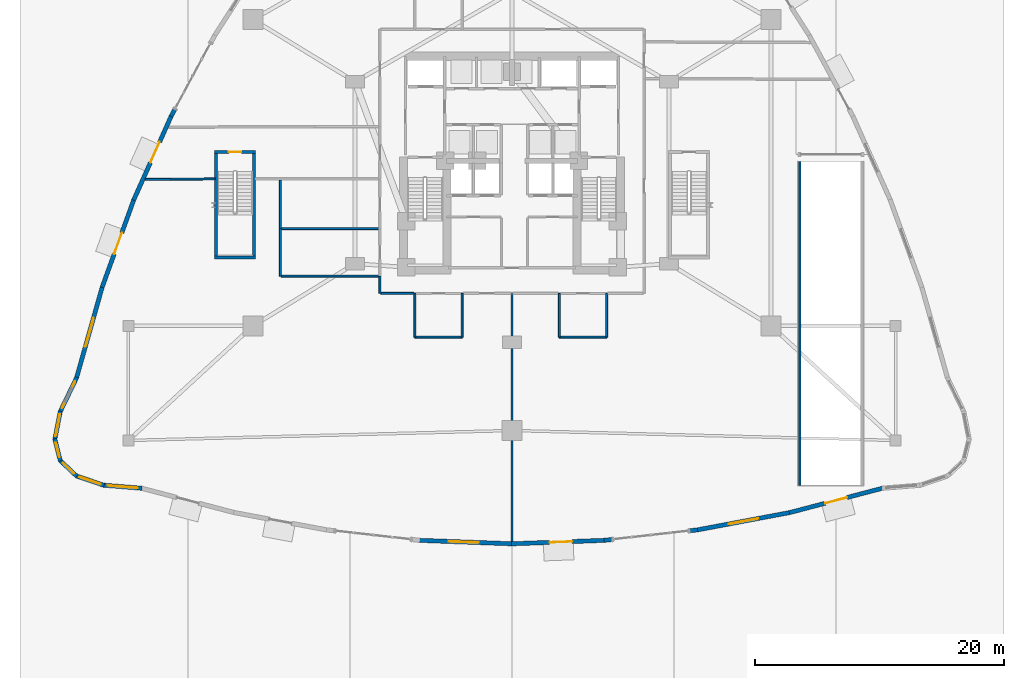
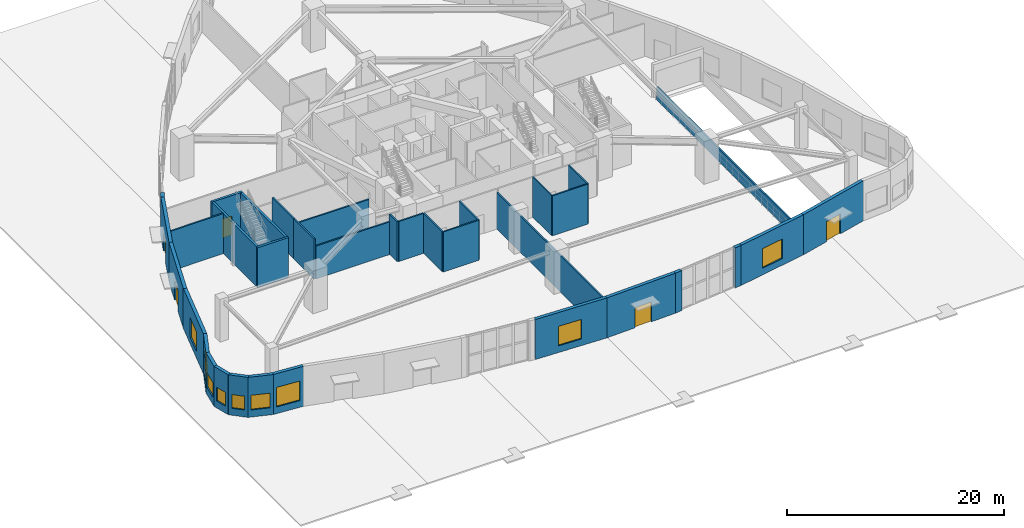
# One storey, part 22 of 32: 35 walls, 9 windows, 5 doors, 14 openings.
"""IFC4 building model written with IfcOpenShell, lengths in metres."""

from ifc_helpers import new_model, si_unit, direction, frame, frame_2d, origin, place, context, subcontext, project, spatial, rectangle, extrude, material, layer, layer_set, type_object, element, fill, save


model = new_model("IFC4")

# Units and contexts
model_context = context("Model", 3, precision=1e-05, world=origin(), true_north=direction((0.0, 1.0)))
body_context = subcontext(model_context, "Body", "Model", "MODEL_VIEW")
ifc_project = project(units=[si_unit("LENGTHUNIT", "METRE"), si_unit("AREAUNIT", "SQUARE_METRE"), si_unit("VOLUMEUNIT", "CUBIC_METRE"), si_unit("PLANEANGLEUNIT", "RADIAN"), si_unit("MASSUNIT", "GRAM", prefix="KILO")], contexts=[model_context])

# Site, building, storey
site_placement = place(None, origin())
site = spatial("IfcSite", under=ifc_project, at=site_placement, CompositionType="ELEMENT")
building_placement = place(site_placement, origin())
building = spatial("IfcBuilding", under=site, at=building_placement, Name="Miruveldt Soraemaru", CompositionType="ELEMENT")
storey_placement = place(building_placement, origin())
storey = spatial("IfcBuildingStorey", under=building, at=storey_placement, Name="L01", CompositionType="ELEMENT", Elevation=0.0)

# Wall
ifc_material_1 = material(Name="Concrete C50/60 (50 MPa)", Category="concrete")
ifc_layer_1 = layer(ifc_material_1, 0.419921875, Name="Concrete C50/60 (50 MPa)", Category="concrete")
ifc_layer_set_1 = layer_set([ifc_layer_1], Name="Concrete C50/60 (50 MPa)")
wall_type_1 = type_object("IfcWallType", Name="WALL-CW-420", PredefinedType="SHEAR", material=ifc_layer_set_1)
wall_1_placement = place(storey_placement, frame((67.1201171875, 18.02001953125, 0.0), z_axis=(0.0, 0.0, 1.0), x_axis=(0.0, 1.0, 0.0)))
element("IfcWall", 1, at=wall_1_placement, inside=storey, type_object=wall_type_1, Name="L01 Car Park Ramp Shaft Structural Side Wall W", PredefinedType="SHEAR", context=body_context, shape_type="SweptSolid", body=[
    extrude(rectangle(XDim=25.9599609375, YDim=0.159912109375, at=frame_2d((12.97998046875, 0.0))), origin(), (0.0, 0.0, 1.0), 1.449951171875),
])

# Wall, opening, door
wall_2_placement = place(storey_placement, frame((20.1298828125, 44.75, 0.0), z_axis=(0.0, 0.0, 1.0), x_axis=(1.0, 0.0, 0.0)))
wall_2 = element("IfcWall", 2, at=wall_2_placement, inside=storey, type_object=wall_type_1, Name="L01 Protected Exit Stair ST-3 Structural Shaft Wall N", PredefinedType="SHEAR", context=body_context, shape_type="SweptSolid", body=[
    extrude(rectangle(XDim=3.2900390625, YDim=0.239990234375, at=frame_2d((1.64501953125, 0.0))), origin(), (0.0, 0.0, 1.0), 4.5),
])
opening_1_placement = place(wall_2_placement, frame((1.14501953125, 0.0, 0.0)))
opening_1 = element("IfcOpeningElement", 3, at=opening_1_placement, cuts=wall_2, Name="Opening FD1", PredefinedType="OPENING", context=body_context, shape_type="SweptSolid", body=[
    extrude(rectangle(XDim=1.0, YDim=2.14990234375, at=frame_2d((0.5, 1.074951171875))), frame((0.0, 0.1298828125, 0.0), z_axis=(0.0, -1.0, 0.0), x_axis=(1.0, 0.0, 0.0)), (0.0, 0.0, 1.0), 0.260009765625),
])
ifc_material_2 = material(Name="Anodised aluminium EN AW-6063 T6", Category="aluminium")
door_type_1 = type_object("IfcDoorType", Name="DOOR-FD1-1000", OperationType="NOTDEFINED", PredefinedType="DOOR", material=ifc_material_2)
door_1_placement = place(opening_1_placement, frame((1.0, 0.0, 0.0), z_axis=(0.0, 0.0, 1.0), x_axis=(-1.0, 0.0, 0.0)))
door_1 = element("IfcDoor", 4, at=door_1_placement, inside=storey, type_object=door_type_1, Name="L01 Protected Exit Stair ST-3 Fire Door", OperationType="SINGLE_SWING_LEFT", OverallHeight=2.14990234375, OverallWidth=1.0, PredefinedType="DOOR", context=body_context, shape_type="SweptSolid", body=[
    extrude(rectangle(XDim=1.0, YDim=2.14990234375, at=frame_2d((0.5, 1.074951171875))), frame((0.0, 0.02490234375, 0.0), z_axis=(0.0, -1.0, 0.0), x_axis=(1.0, 0.0, 0.0)), (0.0, 0.0, 1.0), 0.050048828125),
])
fill(opening_1, door_1)

# Walls
for number, where, z_axis, x_axis, name in (
    (5, (20.25, 36.35009765625, 0.0), (0.0, 0.0, 1.0), (0.0, 1.0, 0.0), "L01 Protected Exit Stair ST-3 Structural Shaft Wall W"),
    (6, (23.300048828125, 36.35009765625, 0.0), (0.0, 0.0, 1.0), (0.0, 1.0, 0.0), "L01 Protected Exit Stair ST-3 Structural Shaft Wall E"),
):
    element("IfcWall", number, at=place(storey_placement, frame(where, z_axis=z_axis, x_axis=x_axis)), inside=storey, type_object=wall_type_1, Name=name, PredefinedType="SHEAR", context=body_context, shape_type="SweptSolid", body=[
        extrude(rectangle(XDim=8.349853515625, YDim=0.239990234375, at=frame_2d((4.1748046875, 0.0))), origin(), (0.0, 0.0, 1.0), 4.5),
    ])
wall_3_placement = place(storey_placement, frame((20.1298828125, 36.300048828125, 0.0), z_axis=(0.0, 0.0, 1.0), x_axis=(1.0, 0.0, 0.0)))
element("IfcWall", 7, at=wall_3_placement, inside=storey, type_object=wall_type_1, Name="L01 Protected Exit Stair ST-3 Structural Shaft Wall S", PredefinedType="SHEAR", context=body_context, shape_type="SweptSolid", body=[
    extrude(rectangle(XDim=3.2900390625, YDim=0.239990234375, at=frame_2d((1.64501953125, 0.0))), origin(), (0.0, 0.0, 1.0), 4.5),
])
ifc_material_3 = material(Name="Precast concrete C45/55 (45 MPa)", Category="concrete")
ifc_layer_2 = layer(ifc_material_3, 0.340087890625, Name="Precast concrete C45/55 (45 MPa)", Category="concrete")
ifc_layer_set_2 = layer_set([ifc_layer_2], Name="Precast concrete C45/55 (45 MPa)")
wall_type_2 = type_object("IfcWallType", Name="WALL-EXT-PC340", PredefinedType="SOLIDWALL", material=ifc_layer_set_2)
wall_4_placement = place(storey_placement, frame((16.96044921875, 48.239013671875, 0.0), z_axis=(0.0, 0.0, 1.0), x_axis=(-0.474987965168, -0.879992291413, 0.0)))
element("IfcWall", 8, at=wall_4_placement, inside=storey, type_object=wall_type_2, Name="L01 Precast Pier Right 11", PredefinedType="SOLIDWALL", context=body_context, shape_type="SweptSolid", body=[
    extrude(rectangle(XDim=0.70458984375, YDim=0.340087890625, at=frame_2d((0.352294921875, 0.0))), origin(), (0.0, 0.0, 1.0), 4.5),
])

# Wall, opening, door
wall_5_placement = place(storey_placement, frame((16.656494140625, 47.681640625, 0.0), z_axis=(0.0, 0.0, 1.0), x_axis=(-0.408068113154, -0.912951485582, 0.0)))
wall_5 = element("IfcWall", 9, at=wall_5_placement, inside=storey, type_object=wall_type_2, Name="L01 Precast Concrete Facade Wall 12", PredefinedType="SOLIDWALL", context=body_context, shape_type="SweptSolid", body=[
    extrude(rectangle(XDim=7.43896484375, YDim=0.340087890625, at=frame_2d((3.719482421875, 0.0))), origin(), (0.0, 0.0, 1.0), 4.5),
])
opening_2_placement = place(wall_5_placement, frame((2.330078125, 0.0, 0.0)))
opening_2 = element("IfcOpeningElement", 10, at=opening_2_placement, cuts=wall_5, Name="Opening ED-1", PredefinedType="OPENING", context=body_context, shape_type="SweptSolid", body=[
    extrude(rectangle(XDim=1.800048828125, YDim=2.25, at=frame_2d((0.89990234375, 1.125))), frame((0.0, 0.18017578125, 0.0), z_axis=(0.0, -1.0, 0.0), x_axis=(1.0, 0.0, 0.0)), (0.0, 0.0, 1.0), 0.360107421875),
])
door_type_2 = type_object("IfcDoorType", Name="DOOR-EXT-1800", OperationType="DOUBLE_DOOR_SINGLE_SWING", PredefinedType="DOOR", material=ifc_material_2)
door_2_placement = place(opening_2_placement, frame((1.800048828125, 0.0, 0.0), z_axis=(0.0, 0.0, 1.0), x_axis=(-1.0, 0.0, 0.0)))
door_2 = element("IfcDoor", 11, at=door_2_placement, inside=storey, type_object=door_type_2, Name="L01 Pedestrian Final Exit Discharge Door 12", OperationType="DOUBLE_DOOR_SINGLE_SWING", OverallHeight=2.25, OverallWidth=1.800048828125, PredefinedType="DOOR", context=body_context, shape_type="SweptSolid", body=[
    extrude(rectangle(XDim=1.800048828125, YDim=2.25, at=frame_2d((0.89990234375, 1.125))), frame((0.0, 0.02490234375, 0.0), z_axis=(0.0, -1.0, 0.0), x_axis=(1.0, 0.0, 0.0)), (0.0, 0.0, 1.0), 0.050048828125),
])
fill(opening_2, door_2)

wall_6_placement = place(storey_placement, frame((13.64697265625, 40.955078125, 0.0), z_axis=(0.0, 0.0, 1.0), x_axis=(-0.340123865441, -0.940380644291, 0.0)))
wall_6 = element("IfcWall", 12, at=wall_6_placement, inside=storey, type_object=wall_type_2, Name="L01 Precast Concrete Facade Wall 13", PredefinedType="SOLIDWALL", context=body_context, shape_type="SweptSolid", body=[
    extrude(rectangle(XDim=7.520263671875, YDim=0.340087890625, at=frame_2d((3.76025390625, 0.0))), origin(), (0.0, 0.0, 1.0), 4.5),
])
opening_3_placement = place(wall_6_placement, frame((2.860107421875, 0.0, 0.0)))
opening_3 = element("IfcOpeningElement", 13, at=opening_3_placement, cuts=wall_6, Name="Opening ED-1", PredefinedType="OPENING", context=body_context, shape_type="SweptSolid", body=[
    extrude(rectangle(XDim=1.800048828125, YDim=2.25, at=frame_2d((0.89990234375, 1.125))), frame((0.0, 0.18017578125, 0.0), z_axis=(0.0, -1.0, 0.0), x_axis=(1.0, 0.0, 0.0)), (0.0, 0.0, 1.0), 0.360107421875),
])
door_3_placement = place(opening_3_placement, frame((1.800048828125, 0.0, 0.0), z_axis=(0.0, 0.0, 1.0), x_axis=(-1.0, 0.0, 0.0)))
door_3 = element("IfcDoor", 14, at=door_3_placement, inside=storey, type_object=door_type_2, Name="L01 Pedestrian Final Exit Discharge Door 13", OperationType="DOUBLE_DOOR_SINGLE_SWING", OverallHeight=2.25, OverallWidth=1.800048828125, PredefinedType="DOOR", context=body_context, shape_type="SweptSolid", body=[
    extrude(rectangle(XDim=1.800048828125, YDim=2.25, at=frame_2d((0.89990234375, 1.125))), frame((0.0, 0.02490234375, 0.0), z_axis=(0.0, -1.0, 0.0), x_axis=(1.0, 0.0, 0.0)), (0.0, 0.0, 1.0), 0.050048828125),
])
fill(opening_3, door_3)

# Wall, opening, window
wall_7_placement = place(storey_placement, frame((11.110595703125, 33.94970703125, 0.0), z_axis=(0.0, 0.0, 1.0), x_axis=(-0.272200784087, -0.962240475735, 0.0)))
wall_7 = element("IfcWall", 15, at=wall_7_placement, inside=storey, type_object=wall_type_2, Name="L01 Precast Concrete Facade Wall 14", PredefinedType="SOLIDWALL", context=body_context, shape_type="SweptSolid", body=[
    extrude(rectangle(XDim=7.640869140625, YDim=0.340087890625, at=frame_2d((3.8203125, 0.0))), origin(), (0.0, 0.0, 1.0), 4.5),
])
opening_4_placement = place(wall_7_placement, frame((2.6201171875, 0.0, 0.75)))
opening_4 = element("IfcOpeningElement", 16, at=opening_4_placement, cuts=wall_7, Name="Opening WN-5", PredefinedType="OPENING", context=body_context, shape_type="SweptSolid", body=[
    extrude(rectangle(XDim=2.39990234375, YDim=2.199951171875, at=frame_2d((1.199951171875, 1.10009765625))), frame((0.0, 0.18017578125, 0.0), z_axis=(0.0, -1.0, 0.0), x_axis=(1.0, 0.0, 0.0)), (0.0, 0.0, 1.0), 0.360107421875),
])
ifc_material_4 = material(Name="Triple low-e insulated glazing", Category="glass")
window_type_1 = type_object("IfcWindowType", Name="WIN-PODM-2400x2200", PartitioningType="SINGLE_PANEL", PredefinedType="WINDOW", material=ifc_material_4)
window_1_placement = place(opening_4_placement, origin())
window_1 = element("IfcWindow", 17, at=window_1_placement, inside=storey, type_object=window_type_1, Name="L01 Punched Triple-Glazed Window 14.1", OverallHeight=2.199951171875, OverallWidth=2.39990234375, PartitioningType="SINGLE_PANEL", PredefinedType="WINDOW", context=body_context, shape_type="SweptSolid", body=[
    extrude(rectangle(XDim=2.39990234375, YDim=2.199951171875, at=frame_2d((1.199951171875, 1.10009765625))), frame((0.0, 0.030029296875, 0.0), z_axis=(0.0, -1.0, 0.0), x_axis=(1.0, 0.0, 0.0)), (0.0, 0.0, 1.0), 0.06005859375),
])
fill(opening_4, window_1)

wall_8_placement = place(storey_placement, frame((9.055419921875, 26.66259765625, 0.0), z_axis=(0.0, 0.0, 1.0), x_axis=(-0.434221029613, -0.90080635957, 0.0)))
wall_8 = element("IfcWall", 18, at=wall_8_placement, inside=storey, type_object=wall_type_2, Name="L01 Precast Concrete Facade Wall 15", PredefinedType="SOLIDWALL", context=body_context, shape_type="SweptSolid", body=[
    extrude(rectangle(XDim=3.07763671875, YDim=0.340087890625, at=frame_2d((1.538818359375, 0.0))), origin(), (0.0, 0.0, 1.0), 4.5),
])
opening_5_placement = place(wall_8_placement, frame((0.339111328125, 0.0, 0.75)))
opening_5 = element("IfcOpeningElement", 19, at=opening_5_placement, cuts=wall_8, Name="Opening WN-5", PredefinedType="OPENING", context=body_context, shape_type="SweptSolid", body=[
    extrude(rectangle(XDim=2.39990234375, YDim=2.199951171875, at=frame_2d((1.199951171875, 1.10009765625))), frame((0.0, 0.18017578125, 0.0), z_axis=(0.0, -1.0, 0.0), x_axis=(1.0, 0.0, 0.0)), (0.0, 0.0, 1.0), 0.360107421875),
])
window_2_placement = place(opening_5_placement, origin())
window_2 = element("IfcWindow", 20, at=window_2_placement, inside=storey, type_object=window_type_1, Name="L01 Punched Triple-Glazed Window 15.1", OverallHeight=2.199951171875, OverallWidth=2.39990234375, PartitioningType="SINGLE_PANEL", PredefinedType="WINDOW", context=body_context, shape_type="SweptSolid", body=[
    extrude(rectangle(XDim=2.39990234375, YDim=2.199951171875, at=frame_2d((1.199951171875, 1.10009765625))), frame((0.0, 0.030029296875, 0.0), z_axis=(0.0, -1.0, 0.0), x_axis=(1.0, 0.0, 0.0)), (0.0, 0.0, 1.0), 0.06005859375),
])
fill(opening_5, window_2)

wall_9_placement = place(storey_placement, frame((7.740966796875, 23.9560546875, 0.0), z_axis=(0.0, 0.0, 1.0), x_axis=(-0.192667803312, -0.981264040698, 0.0)))
wall_9 = element("IfcWall", 21, at=wall_9_placement, inside=storey, type_object=wall_type_2, Name="L01 Precast Concrete Facade Wall 16", PredefinedType="SOLIDWALL", context=body_context, shape_type="SweptSolid", body=[
    extrude(rectangle(XDim=2.3291015625, YDim=0.340087890625, at=frame_2d((1.16455078125, 0.0))), origin(), (0.0, 0.0, 1.0), 4.5),
])
opening_6_placement = place(wall_9_placement, frame((0.264892578125, 0.0, 0.800048828125)))
opening_6 = element("IfcOpeningElement", 22, at=opening_6_placement, cuts=wall_9, Name="Opening WN-2", PredefinedType="OPENING", context=body_context, shape_type="SweptSolid", body=[
    extrude(rectangle(XDim=1.800048828125, YDim=1.64990234375, at=frame_2d((0.89990234375, 0.824951171875))), frame((0.0, 0.18017578125, 0.0), z_axis=(0.0, -1.0, 0.0), x_axis=(1.0, 0.0, 0.0)), (0.0, 0.0, 1.0), 0.360107421875),
])
window_type_2 = type_object("IfcWindowType", Name="WIN-PUNCH-1800x1650", PartitioningType="SINGLE_PANEL", PredefinedType="WINDOW", material=ifc_material_4)
window_3_placement = place(opening_6_placement, origin())
window_3 = element("IfcWindow", 23, at=window_3_placement, inside=storey, type_object=window_type_2, Name="L01 Punched Triple-Glazed Window 16.1", OverallHeight=1.64990234375, OverallWidth=1.800048828125, PartitioningType="SINGLE_PANEL", PredefinedType="WINDOW", context=body_context, shape_type="SweptSolid", body=[
    extrude(rectangle(XDim=1.800048828125, YDim=1.64990234375, at=frame_2d((0.89990234375, 0.824951171875))), frame((0.0, 0.030029296875, 0.0), z_axis=(0.0, -1.0, 0.0), x_axis=(1.0, 0.0, 0.0)), (0.0, 0.0, 1.0), 0.06005859375),
])
fill(opening_6, window_3)

wall_10_placement = place(storey_placement, frame((7.290283203125, 21.73876953125, 0.0), z_axis=(0.0, 0.0, 1.0), x_axis=(0.244928374408, -0.969541175717, 0.0)))
wall_10 = element("IfcWall", 24, at=wall_10_placement, inside=storey, type_object=wall_type_2, Name="L01 Precast Concrete Facade Wall 17", PredefinedType="SOLIDWALL", context=body_context, shape_type="SweptSolid", body=[
    extrude(rectangle(XDim=1.84814453125, YDim=0.340087890625, at=frame_2d((0.924072265625, 0.0))), origin(), (0.0, 0.0, 1.0), 4.5),
])
opening_7_placement = place(wall_10_placement, frame((0.323974609375, 0.0, 0.780029296875)))
opening_7 = element("IfcOpeningElement", 25, at=opening_7_placement, cuts=wall_10, Name="Opening WN-4", PredefinedType="OPENING", context=body_context, shape_type="SweptSolid", body=[
    extrude(rectangle(XDim=1.199951171875, YDim=1.550048828125, at=frame_2d((0.60009765625, 0.77490234375))), frame((0.0, 0.18017578125, 0.0), z_axis=(0.0, -1.0, 0.0), x_axis=(1.0, 0.0, 0.0)), (0.0, 0.0, 1.0), 0.360107421875),
])
window_type_3 = type_object("IfcWindowType", Name="WIN-PUNCH-1200x1550", PartitioningType="SINGLE_PANEL", PredefinedType="WINDOW", material=ifc_material_4)
window_4_placement = place(opening_7_placement, origin())
window_4 = element("IfcWindow", 26, at=window_4_placement, inside=storey, type_object=window_type_3, Name="L01 Punched Triple-Glazed Window 17.1", OverallHeight=1.550048828125, OverallWidth=1.199951171875, PartitioningType="SINGLE_PANEL", PredefinedType="WINDOW", context=body_context, shape_type="SweptSolid", body=[
    extrude(rectangle(XDim=1.199951171875, YDim=1.550048828125, at=frame_2d((0.60009765625, 0.77490234375))), frame((0.0, 0.030029296875, 0.0), z_axis=(0.0, -1.0, 0.0), x_axis=(1.0, 0.0, 0.0)), (0.0, 0.0, 1.0), 0.06005859375),
])
fill(opening_7, window_4)

wall_11_placement = place(storey_placement, frame((7.708740234375, 20.0048828125, 0.0), z_axis=(0.0, 0.0, 1.0), x_axis=(0.72754647658, -0.686058397235, 0.0)))
wall_11 = element("IfcWall", 27, at=wall_11_placement, inside=storey, type_object=wall_type_2, Name="L01 Precast Concrete Facade Wall 18", PredefinedType="SOLIDWALL", context=body_context, shape_type="SweptSolid", body=[
    extrude(rectangle(XDim=1.865478515625, YDim=0.340087890625, at=frame_2d((0.9326171875, 0.0))), origin(), (0.0, 0.0, 1.0), 4.5),
])
opening_8_placement = place(wall_11_placement, frame((0.3330078125, 0.0, 0.780029296875)))
opening_8 = element("IfcOpeningElement", 28, at=opening_8_placement, cuts=wall_11, Name="Opening WN-4", PredefinedType="OPENING", context=body_context, shape_type="SweptSolid", body=[
    extrude(rectangle(XDim=1.199951171875, YDim=1.550048828125, at=frame_2d((0.60009765625, 0.77490234375))), frame((0.0, 0.18017578125, 0.0), z_axis=(0.0, -1.0, 0.0), x_axis=(1.0, 0.0, 0.0)), (0.0, 0.0, 1.0), 0.360107421875),
])
window_5_placement = place(opening_8_placement, origin())
window_5 = element("IfcWindow", 29, at=window_5_placement, inside=storey, type_object=window_type_3, Name="L01 Punched Triple-Glazed Window 18.1", OverallHeight=1.550048828125, OverallWidth=1.199951171875, PartitioningType="SINGLE_PANEL", PredefinedType="WINDOW", context=body_context, shape_type="SweptSolid", body=[
    extrude(rectangle(XDim=1.199951171875, YDim=1.550048828125, at=frame_2d((0.60009765625, 0.77490234375))), frame((0.0, 0.030029296875, 0.0), z_axis=(0.0, -1.0, 0.0), x_axis=(1.0, 0.0, 0.0)), (0.0, 0.0, 1.0), 0.06005859375),
])
fill(opening_8, window_5)

wall_12_placement = place(storey_placement, frame((9.007080078125, 18.760498046875, 0.0), z_axis=(0.0, 0.0, 1.0), x_axis=(0.946916521459, -0.321479550498, 0.0)))
wall_12 = element("IfcWall", 30, at=wall_12_placement, inside=storey, type_object=wall_type_2, Name="L01 Precast Concrete Facade Wall 19", PredefinedType="SOLIDWALL", context=body_context, shape_type="SweptSolid", body=[
    extrude(rectangle(XDim=2.36865234375, YDim=0.340087890625, at=frame_2d((1.184326171875, 0.0))), origin(), (0.0, 0.0, 1.0), 4.5),
])
opening_9_placement = place(wall_12_placement, frame((0.284912109375, 0.0, 0.800048828125)))
opening_9 = element("IfcOpeningElement", 31, at=opening_9_placement, cuts=wall_12, Name="Opening WN-2", PredefinedType="OPENING", context=body_context, shape_type="SweptSolid", body=[
    extrude(rectangle(XDim=1.800048828125, YDim=1.64990234375, at=frame_2d((0.89990234375, 0.824951171875))), frame((0.0, 0.18017578125, 0.0), z_axis=(0.0, -1.0, 0.0), x_axis=(1.0, 0.0, 0.0)), (0.0, 0.0, 1.0), 0.360107421875),
])
window_6_placement = place(opening_9_placement, origin())
window_6 = element("IfcWindow", 32, at=window_6_placement, inside=storey, type_object=window_type_2, Name="L01 Punched Triple-Glazed Window 19.1", OverallHeight=1.64990234375, OverallWidth=1.800048828125, PartitioningType="SINGLE_PANEL", PredefinedType="WINDOW", context=body_context, shape_type="SweptSolid", body=[
    extrude(rectangle(XDim=1.800048828125, YDim=1.64990234375, at=frame_2d((0.89990234375, 0.824951171875))), frame((0.0, 0.030029296875, 0.0), z_axis=(0.0, -1.0, 0.0), x_axis=(1.0, 0.0, 0.0)), (0.0, 0.0, 1.0), 0.06005859375),
])
fill(opening_9, window_6)

wall_13_placement = place(storey_placement, frame((11.181884765625, 18.01318359375, 0.0), z_axis=(0.0, 0.0, 1.0), x_axis=(0.996749411033, -0.080564332095, 0.0)))
wall_13 = element("IfcWall", 33, at=wall_13_placement, inside=storey, type_object=wall_type_2, Name="L01 Precast Concrete Facade Wall 20", PredefinedType="SOLIDWALL", context=body_context, shape_type="SweptSolid", body=[
    extrude(rectangle(XDim=3.12744140625, YDim=0.340087890625, at=frame_2d((1.563720703125, 0.0))), origin(), (0.0, 0.0, 1.0), 4.5),
])
opening_10_placement = place(wall_13_placement, frame((0.364013671875, 0.0, 0.75)))
opening_10 = element("IfcOpeningElement", 34, at=opening_10_placement, cuts=wall_13, Name="Opening WN-5", PredefinedType="OPENING", context=body_context, shape_type="SweptSolid", body=[
    extrude(rectangle(XDim=2.39990234375, YDim=2.199951171875, at=frame_2d((1.199951171875, 1.10009765625))), frame((0.0, 0.18017578125, 0.0), z_axis=(0.0, -1.0, 0.0), x_axis=(1.0, 0.0, 0.0)), (0.0, 0.0, 1.0), 0.360107421875),
])
window_7_placement = place(opening_10_placement, origin())
window_7 = element("IfcWindow", 35, at=window_7_placement, inside=storey, type_object=window_type_1, Name="L01 Punched Triple-Glazed Window 20.1", OverallHeight=2.199951171875, OverallWidth=2.39990234375, PartitioningType="SINGLE_PANEL", PredefinedType="WINDOW", context=body_context, shape_type="SweptSolid", body=[
    extrude(rectangle(XDim=2.39990234375, YDim=2.199951171875, at=frame_2d((1.199951171875, 1.10009765625))), frame((0.0, 0.030029296875, 0.0), z_axis=(0.0, -1.0, 0.0), x_axis=(1.0, 0.0, 0.0)), (0.0, 0.0, 1.0), 0.06005859375),
])
fill(opening_10, window_7)

wall_14_placement = place(storey_placement, frame((36.531005859375, 13.583740234375, 0.0), z_axis=(0.0, 0.0, 1.0), x_axis=(0.999297128626, -0.037486647231, 0.0)))
wall_14 = element("IfcWall", 36, at=wall_14_placement, inside=storey, type_object=wall_type_2, Name="L01 Precast Concrete Facade Wall 24", PredefinedType="SOLIDWALL", context=body_context, shape_type="SweptSolid", body=[
    extrude(rectangle(XDim=7.50927734375, YDim=0.340087890625, at=frame_2d((3.754638671875, 0.0))), origin(), (0.0, 0.0, 1.0), 4.5),
])
opening_11_placement = place(wall_14_placement, frame((2.4130859375, 0.0, 0.75)))
opening_11 = element("IfcOpeningElement", 37, at=opening_11_placement, cuts=wall_14, Name="Opening WN-5", PredefinedType="OPENING", context=body_context, shape_type="SweptSolid", body=[
    extrude(rectangle(XDim=2.39990234375, YDim=2.199951171875, at=frame_2d((1.199951171875, 1.10009765625))), frame((0.0, 0.18017578125, 0.0), z_axis=(0.0, -1.0, 0.0), x_axis=(1.0, 0.0, 0.0)), (0.0, 0.0, 1.0), 0.360107421875),
])
window_8_placement = place(opening_11_placement, origin())
window_8 = element("IfcWindow", 38, at=window_8_placement, inside=storey, type_object=window_type_1, Name="L01 Punched Triple-Glazed Window 24.1", OverallHeight=2.199951171875, OverallWidth=2.39990234375, PartitioningType="SINGLE_PANEL", PredefinedType="WINDOW", context=body_context, shape_type="SweptSolid", body=[
    extrude(rectangle(XDim=2.39990234375, YDim=2.199951171875, at=frame_2d((1.199951171875, 1.10009765625))), frame((0.0, 0.030029296875, 0.0), z_axis=(0.0, -1.0, 0.0), x_axis=(1.0, 0.0, 0.0)), (0.0, 0.0, 1.0), 0.06005859375),
])
fill(opening_11, window_8)

# Wall, opening, door
wall_15_placement = place(storey_placement, frame((43.965087890625, 13.30224609375, 0.0), z_axis=(0.0, 0.0, 1.0), x_axis=(0.999297128626, 0.037486647231, 0.0)))
wall_15 = element("IfcWall", 39, at=wall_15_placement, inside=storey, type_object=wall_type_2, Name="L01 Precast Concrete Facade Wall 25", PredefinedType="SOLIDWALL", context=body_context, shape_type="SweptSolid", body=[
    extrude(rectangle(XDim=7.50927734375, YDim=0.340087890625, at=frame_2d((3.754638671875, 0.0))), origin(), (0.0, 0.0, 1.0), 4.5),
])
opening_12_placement = place(wall_15_placement, frame((3.055908203125, 0.0, 0.0)))
opening_12 = element("IfcOpeningElement", 40, at=opening_12_placement, cuts=wall_15, Name="Opening ED-1", PredefinedType="OPENING", context=body_context, shape_type="SweptSolid", body=[
    extrude(rectangle(XDim=1.800048828125, YDim=2.25, at=frame_2d((0.89990234375, 1.125))), frame((0.0, 0.18017578125, 0.0), z_axis=(0.0, -1.0, 0.0), x_axis=(1.0, 0.0, 0.0)), (0.0, 0.0, 1.0), 0.360107421875),
])
door_4_placement = place(opening_12_placement, frame((1.800048828125, 0.0, 0.0), z_axis=(0.0, 0.0, 1.0), x_axis=(-1.0, 0.0, 0.0)))
door_4 = element("IfcDoor", 41, at=door_4_placement, inside=storey, type_object=door_type_2, Name="L01 Pedestrian Final Exit Discharge Door 25", OperationType="DOUBLE_DOOR_SINGLE_SWING", OverallHeight=2.25, OverallWidth=1.800048828125, PredefinedType="DOOR", context=body_context, shape_type="SweptSolid", body=[
    extrude(rectangle(XDim=1.800048828125, YDim=2.25, at=frame_2d((0.89990234375, 1.125))), frame((0.0, 0.02490234375, 0.0), z_axis=(0.0, -1.0, 0.0), x_axis=(1.0, 0.0, 0.0)), (0.0, 0.0, 1.0), 0.050048828125),
])
fill(opening_12, door_4)

# Walls
wall_16_placement = place(storey_placement, frame((51.399169921875, 13.57861328125, 0.0), z_axis=(0.0, 0.0, 1.0), x_axis=(0.993764930048, 0.111495577518, 0.0)))
element("IfcWall", 42, at=wall_16_placement, inside=storey, type_object=wall_type_2, Name="L01 Precast Pier Left 26", PredefinedType="SOLIDWALL", context=body_context, shape_type="SweptSolid", body=[
    extrude(rectangle(XDim=0.705078125, YDim=0.340087890625, at=frame_2d((0.3525390625, 0.0))), origin(), (0.0, 0.0, 1.0), 4.5),
])
wall_17_placement = place(storey_placement, frame((58.202392578125, 14.34375, 0.0), z_axis=(0.0, 0.0, 1.0), x_axis=(0.993717836621, 0.11191452623, 0.0)))
element("IfcWall", 43, at=wall_17_placement, inside=storey, type_object=wall_type_2, Name="L01 Precast Pier Right 26", PredefinedType="SOLIDWALL", context=body_context, shape_type="SweptSolid", body=[
    extrude(rectangle(XDim=0.70458984375, YDim=0.340087890625, at=frame_2d((0.352294921875, 0.0))), origin(), (0.0, 0.0, 1.0), 4.5),
])

# Wall, opening, window
wall_18_placement = place(storey_placement, frame((58.83349609375, 14.412109375, 0.0), z_axis=(0.0, 0.0, 1.0), x_axis=(0.982866755448, 0.184317500623, 0.0)))
wall_18 = element("IfcWall", 44, at=wall_18_placement, inside=storey, type_object=wall_type_2, Name="L01 Precast Concrete Facade Wall 27", PredefinedType="SOLIDWALL", context=body_context, shape_type="SweptSolid", body=[
    extrude(rectangle(XDim=7.633544921875, YDim=0.340087890625, at=frame_2d((3.81689453125, 0.0))), origin(), (0.0, 0.0, 1.0), 4.5),
])
opening_13_placement = place(wall_18_placement, frame((2.616943359375, 0.0, 0.75)))
opening_13 = element("IfcOpeningElement", 45, at=opening_13_placement, cuts=wall_18, Name="Opening WN-5", PredefinedType="OPENING", context=body_context, shape_type="SweptSolid", body=[
    extrude(rectangle(XDim=2.39990234375, YDim=2.199951171875, at=frame_2d((1.199951171875, 1.10009765625))), frame((0.0, 0.18017578125, 0.0), z_axis=(0.0, -1.0, 0.0), x_axis=(1.0, 0.0, 0.0)), (0.0, 0.0, 1.0), 0.360107421875),
])
window_9_placement = place(opening_13_placement, origin())
window_9 = element("IfcWindow", 46, at=window_9_placement, inside=storey, type_object=window_type_1, Name="L01 Punched Triple-Glazed Window 27.1", OverallHeight=2.199951171875, OverallWidth=2.39990234375, PartitioningType="SINGLE_PANEL", PredefinedType="WINDOW", context=body_context, shape_type="SweptSolid", body=[
    extrude(rectangle(XDim=2.39990234375, YDim=2.199951171875, at=frame_2d((1.199951171875, 1.10009765625))), frame((0.0, 0.030029296875, 0.0), z_axis=(0.0, -1.0, 0.0), x_axis=(1.0, 0.0, 0.0)), (0.0, 0.0, 1.0), 0.06005859375),
])
fill(opening_13, window_9)

# Wall, opening, door
wall_19_placement = place(storey_placement, frame((66.26806640625, 15.8037109375, 0.0), z_axis=(0.0, 0.0, 1.0), x_axis=(0.967229709186, 0.253902913864, 0.0)))
wall_19 = element("IfcWall", 47, at=wall_19_placement, inside=storey, type_object=wall_type_2, Name="L01 Precast Concrete Facade Wall 28", PredefinedType="SOLIDWALL", context=body_context, shape_type="SweptSolid", body=[
    extrude(rectangle(XDim=7.755859375, YDim=0.340087890625, at=frame_2d((3.8779296875, 0.0))), origin(), (0.0, 0.0, 1.0), 4.5),
])
opening_14_placement = place(wall_19_placement, frame((2.97802734375, 0.0, 0.0)))
opening_14 = element("IfcOpeningElement", 48, at=opening_14_placement, cuts=wall_19, Name="Opening ED-1", PredefinedType="OPENING", context=body_context, shape_type="SweptSolid", body=[
    extrude(rectangle(XDim=1.800048828125, YDim=2.25, at=frame_2d((0.89990234375, 1.125))), frame((0.0, 0.18017578125, 0.0), z_axis=(0.0, -1.0, 0.0), x_axis=(1.0, 0.0, 0.0)), (0.0, 0.0, 1.0), 0.360107421875),
])
door_5_placement = place(opening_14_placement, frame((1.800048828125, 0.0, 0.0), z_axis=(0.0, 0.0, 1.0), x_axis=(-1.0, 0.0, 0.0)))
door_5 = element("IfcDoor", 49, at=door_5_placement, inside=storey, type_object=door_type_2, Name="L01 Pedestrian Final Exit Discharge Door 28", OperationType="DOUBLE_DOOR_SINGLE_SWING", OverallHeight=2.25, OverallWidth=1.800048828125, PredefinedType="DOOR", context=body_context, shape_type="SweptSolid", body=[
    extrude(rectangle(XDim=1.800048828125, YDim=2.25, at=frame_2d((0.89990234375, 1.125))), frame((0.0, 0.02490234375, 0.0), z_axis=(0.0, -1.0, 0.0), x_axis=(1.0, 0.0, 0.0)), (0.0, 0.0, 1.0), 0.050048828125),
])
fill(opening_14, door_5)

# Walls
ifc_material_5 = material(Name="Gypsum plasterboard lining", Category="gypsum")
ifc_layer_3 = layer(ifc_material_5, 0.14990234375, Name="Gypsum plasterboard lining", Category="gypsum")
ifc_layer_set_3 = layer_set([ifc_layer_3], Name="Gypsum plasterboard lining")
wall_type_3 = type_object("IfcWallType", Name="WALL-INT-PLUMB", PredefinedType="PLUMBINGWALL", material=ifc_layer_set_3)
for number, where, z_axis, x_axis, name in (
    (50, (47.800048828125, 29.89990234375, 0.0), (0.0, 0.0, 1.0), (1.0, 0.0, 0.0), "L01 Partition Wall 30"),
    (51, (36.199951171875, 29.89990234375, 0.0), (0.0, 0.0, 1.0), (1.0, 0.0, 0.0), "L01 Partition Wall 27"),
):
    element("IfcWall", number, at=place(storey_placement, frame(where, z_axis=z_axis, x_axis=x_axis)), inside=storey, type_object=wall_type_3, Name=name, PredefinedType="PLUMBINGWALL", context=body_context, shape_type="SweptSolid", body=[
        extrude(rectangle(XDim=3.800048828125, YDim=0.14990234375, at=frame_2d((1.89990234375, 0.0))), origin(), (0.0, 0.0, 1.0), 4.5),
    ])
for number, where, z_axis, x_axis, name in (
    (52, (36.199951171875, 33.39990234375, 0.0), (0.0, 0.0, 1.0), (0.0, -1.0, 0.0), "L01 Partition Wall 26"),
    (53, (40.0, 29.89990234375, 0.0), (0.0, 0.0, 1.0), (0.0, 1.0, 0.0), "L01 Partition Wall 28"),
    (54, (47.800048828125, 33.39990234375, 0.0), (0.0, 0.0, 1.0), (0.0, -1.0, 0.0), "L01 Partition Wall 29"),
    (55, (51.60009765625, 29.89990234375, 0.0), (0.0, 0.0, 1.0), (0.0, 1.0, 0.0), "L01 Partition Wall 31"),
):
    element("IfcWall", number, at=place(storey_placement, frame(where, z_axis=z_axis, x_axis=x_axis)), inside=storey, type_object=wall_type_3, Name=name, PredefinedType="PLUMBINGWALL", context=body_context, shape_type="SweptSolid", body=[
        extrude(rectangle(XDim=3.5, YDim=0.14990234375, at=frame_2d((1.75, 0.0))), origin(), (0.0, 0.0, 1.0), 4.5),
    ])
ifc_material_6 = material(Name="Concrete C40/50 (40 MPa)", Category="concrete")
ifc_layer_4 = layer(ifc_material_6, 0.159912109375, Name="Concrete C40/50 (40 MPa)", Category="concrete")
ifc_layer_set_4 = layer_set([ifc_layer_4], Name="Concrete C40/50 (40 MPa)")
wall_type_4 = type_object("IfcWallType", Name="WALL-INT-RC160", PredefinedType="SOLIDWALL", material=ifc_layer_set_4)
wall_20_placement = place(storey_placement, frame((44.0, 13.489013671875, 0.0), z_axis=(0.0, 0.0, 1.0), x_axis=(0.0, 1.0, 0.0)))
element("IfcWall", 56, at=wall_20_placement, inside=storey, type_object=wall_type_4, Name="L01 Partition Wall 36", PredefinedType="SOLIDWALL", context=body_context, shape_type="SweptSolid", body=[
    extrude(rectangle(XDim=19.910888671875, YDim=0.159912109375, at=frame_2d((9.95556640625, 0.0))), origin(), (0.0, 0.0, 1.0), 4.087890625),
])
wall_21_placement = place(storey_placement, frame((25.47998046875, 38.60009765625, 0.0), z_axis=(0.0, 0.0, 1.0), x_axis=(1.0, 0.0, 0.0)))
element("IfcWall", 57, at=wall_21_placement, inside=storey, type_object=wall_type_4, Name="L01 Partition Wall 32", PredefinedType="SOLIDWALL", context=body_context, shape_type="SweptSolid", body=[
    extrude(rectangle(XDim=7.840087890625, YDim=0.159912109375, at=frame_2d((3.919921875, 0.0))), origin(), (0.0, 0.0, 1.0), 3.89990234375),
])
wall_22_placement = place(storey_placement, frame((25.47998046875, 34.800048828125, 0.0), z_axis=(0.0, 0.0, 1.0), x_axis=(1.0, 0.0, 0.0)))
element("IfcWall", 58, at=wall_22_placement, inside=storey, type_object=wall_type_4, Name="L01 Partition Wall 35", PredefinedType="SOLIDWALL", context=body_context, shape_type="SweptSolid", body=[
    extrude(rectangle(XDim=7.840087890625, YDim=0.159912109375, at=frame_2d((3.919921875, 0.0))), origin(), (0.0, 0.0, 1.0), 3.68798828125),
])
wall_23_placement = place(storey_placement, frame((14.569091796875, 42.556884765625, 0.0), z_axis=(0.0, 0.0, 1.0), x_axis=(0.999971567241, 0.007540869236, 0.0)))
element("IfcWall", 59, at=wall_23_placement, inside=storey, type_object=wall_type_4, Name="L01 Partition Wall 18", PredefinedType="SOLIDWALL", context=body_context, shape_type="SweptSolid", body=[
    extrude(rectangle(XDim=5.60107421875, YDim=0.159912109375, at=frame_2d((2.800537109375, 0.0))), origin(), (0.0, 0.0, 1.0), 4.5),
])
wall_24_placement = place(storey_placement, frame((25.39990234375, 42.5, 0.0), z_axis=(0.0, 0.0, 1.0), x_axis=(0.0, -1.0, 0.0)))
element("IfcWall", 60, at=wall_24_placement, inside=storey, type_object=wall_type_4, Name="L01 Partition Wall 33", PredefinedType="SOLIDWALL", context=body_context, shape_type="SweptSolid", body=[
    extrude(rectangle(XDim=3.89990234375, YDim=0.159912109375, at=frame_2d((1.949951171875, 0.0))), origin(), (0.0, 0.0, 1.0), 4.5),
])
wall_25_placement = place(storey_placement, frame((25.39990234375, 38.60009765625, 0.0), z_axis=(0.0, 0.0, 1.0), x_axis=(0.0, -1.0, 0.0)))
element("IfcWall", 61, at=wall_25_placement, inside=storey, type_object=wall_type_4, Name="L01 Partition Wall 34", PredefinedType="SOLIDWALL", context=body_context, shape_type="SweptSolid", body=[
    extrude(rectangle(XDim=3.800048828125, YDim=0.159912109375, at=frame_2d((1.89990234375, 0.0))), origin(), (0.0, 0.0, 1.0), 4.5),
])
wall_26_placement = place(storey_placement, frame((33.47998046875, 33.39990234375, 0.0), z_axis=(0.0, 0.0, 1.0), x_axis=(1.0, 0.0, 0.0)))
element("IfcWall", 62, at=wall_26_placement, inside=storey, type_object=wall_type_4, Name="L01 Partition Wall 9", PredefinedType="SOLIDWALL", context=body_context, shape_type="SweptSolid", body=[
    extrude(rectangle(XDim=2.64013671875, YDim=0.159912109375, at=frame_2d((1.320068359375, 0.0))), origin(), (0.0, 0.0, 1.0), 4.5),
])
wall_27_placement = place(storey_placement, frame((33.39990234375, 34.800048828125, 0.0), z_axis=(0.0, 0.0, 1.0), x_axis=(0.0, -1.0, 0.0)))
element("IfcWall", 63, at=wall_27_placement, inside=storey, type_object=wall_type_4, Name="L01 Partition Wall 8", PredefinedType="SOLIDWALL", context=body_context, shape_type="SweptSolid", body=[
    extrude(rectangle(XDim=1.400146484375, YDim=0.159912109375, at=frame_2d((0.7001953125, 0.0))), origin(), (0.0, 0.0, 1.0), 4.5),
])

save(model, "model.ifc")
